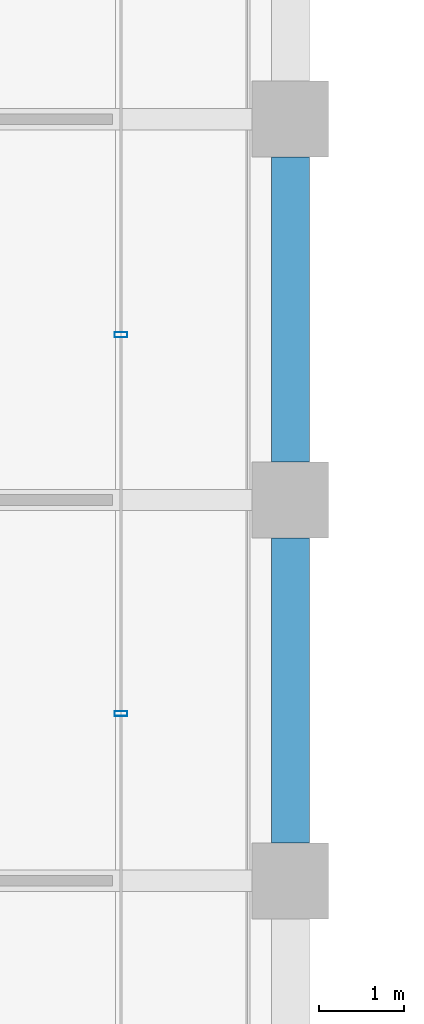
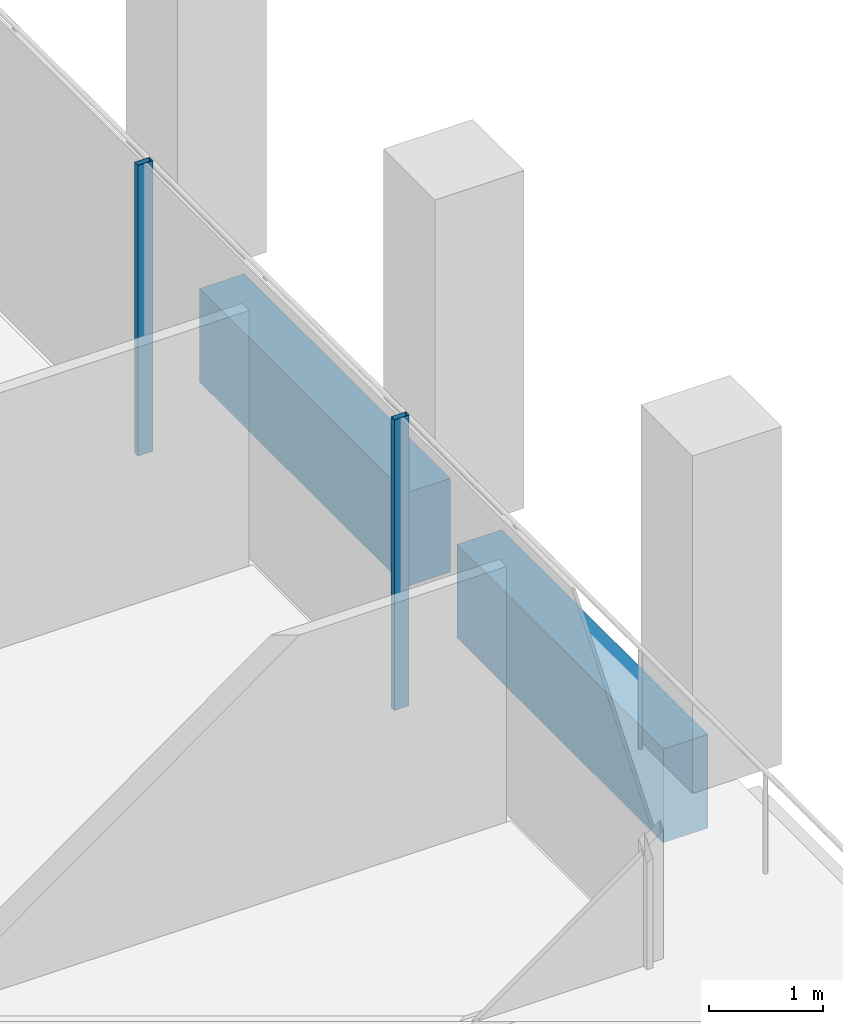
# One storey, part 15 of 40: 2 beams, 2 members, 1 element without a shape of its own.
"""IFC4 building model written with IfcOpenShell, lengths in metres."""

from ifc_helpers import new_model, si_unit, direction, frame, origin, origin_2d, place, context, subcontext, project, spatial, rectangle, hollow_rectangle, extrude, material, material_profile, profile_set, type_object, element, aggregate, save


model = new_model("IFC4")

# Units and contexts
model_context = context("Model", 3, precision=1e-05, world=origin(), true_north=direction((0.0, 1.0)))
body_context = subcontext(model_context, "Body", "Model", "MODEL_VIEW")
ifc_project = project(units=[si_unit("LENGTHUNIT", "METRE"), si_unit("AREAUNIT", "SQUARE_METRE"), si_unit("VOLUMEUNIT", "CUBIC_METRE"), si_unit("PLANEANGLEUNIT", "RADIAN"), si_unit("MASSUNIT", "GRAM", prefix="KILO")], contexts=[model_context])

# Site, building, storey
site_placement = place(None, origin())
site = spatial("IfcSite", under=ifc_project, at=site_placement, CompositionType="ELEMENT")
building_placement = place(site_placement, origin())
building = spatial("IfcBuilding", under=site, at=building_placement, Name="Altepetl Exchange Towers", CompositionType="ELEMENT")
storey_placement = place(building_placement, frame((0.0, 0.0, 151.0)))
storey = spatial("IfcBuildingStorey", under=building, at=storey_placement, Name="L37", CompositionType="ELEMENT", Elevation=151.0)

# Curtain wall, members
ifc_material_1 = material(Name="Aluminium 6063-T6 glazing", Category="aluminium")
curtain_wall_type = type_object("IfcCurtainWallType", Name="Loggia glazing system", PredefinedType="NOTDEFINED", material=ifc_material_1)
curtain_wall_placement = place(storey_placement, origin())
curtain_wall = element("IfcCurtainWall", 1, at=curtain_wall_placement, inside=storey, type_object=curtain_wall_type, Name="CW1 run", PredefinedType="NOTDEFINED")
ifc_material_2 = material(Name="Aluminium 6063-T6", Category="aluminium")
ifc_material_profile_1 = material_profile(ifc_material_2, hollow_rectangle(XDim=0.06005859375, YDim=0.14990234375, WallThickness=0.0029296875, at=origin_2d()), Name="Mullion 60x150 aluminium")
ifc_profile_set_1 = profile_set([ifc_material_profile_1], Name="Aluminium 6063-T6")
member_type = type_object("IfcMemberType", Name="Mullion 60x150 aluminium", PredefinedType="MULLION", material=ifc_profile_set_1)
member_1_placement = place(storey_placement, frame((70.0, 37.97607421875, 0.0), z_axis=(0.0, 0.0, 1.0), x_axis=(0.0, 1.0, 0.0)))
member_1 = element("IfcMember", 2, at=member_1_placement, type_object=member_type, Name="MU1 mullion", PredefinedType="MULLION", context=body_context, shape_type="SweptSolid", body=[
    extrude(hollow_rectangle(XDim=0.06005859375, YDim=0.14990234375, WallThickness=0.0029296875, at=origin_2d()), origin(), (0.0, 0.0, 1.0), 3.10009765625),
])
member_2_placement = place(storey_placement, frame((70.0, 42.451904296875, 0.0), z_axis=(0.0, 0.0, 1.0), x_axis=(0.0, 1.0, 0.0)))
member_2 = element("IfcMember", 3, at=member_2_placement, type_object=member_type, Name="MU1 mullion", PredefinedType="MULLION", context=body_context, shape_type="SweptSolid", body=[
    extrude(hollow_rectangle(XDim=0.06005859375, YDim=0.14990234375, WallThickness=0.0029296875, at=origin_2d()), origin(), (0.0, 0.0, 1.0), 3.10009765625),
])
aggregate(curtain_wall, [member_1, member_2])

# Beams
ifc_material_3 = material(Name="Concrete C50/60 precast with cantera amarilla facing", Category="concrete")
ifc_material_profile_2 = material_profile(ifc_material_3, rectangle(XDim=0.449951171875, YDim=1.0, at=origin_2d()), Name="450 x 1000")
ifc_profile_set_2 = profile_set([ifc_material_profile_2], Name="Concrete C50/60 precast with cantera amarilla facing")
beam_type = type_object("IfcBeamType", Name="Spandrel beam 450x1000 cantera amarilla", PredefinedType="SPANDREL", material=ifc_profile_set_2)
for number, where, z_axis, x_axis, name in (
    (4, (72.0, 36.449951171875, -0.64990234375), (0.0, 1.0, 0.0), (-1.0, 0.0, 0.0), "sp:A:L37:013"),
    (5, (72.0, 40.949951171875, -0.64990234375), (0.0, 1.0, 0.0), (-1.0, 0.0, 0.0), "sp:A:L37:014"),
):
    element("IfcBeam", number, at=place(storey_placement, frame(where, z_axis=z_axis, x_axis=x_axis)), inside=storey, type_object=beam_type, Name=name, PredefinedType="SPANDREL", context=body_context, shape_type="SweptSolid", body=[
        extrude(rectangle(XDim=0.449951171875, YDim=1.0, at=origin_2d()), origin(), (0.0, 0.0, 1.0), 3.60009765625),
    ])

save(model, "model.ifc")
